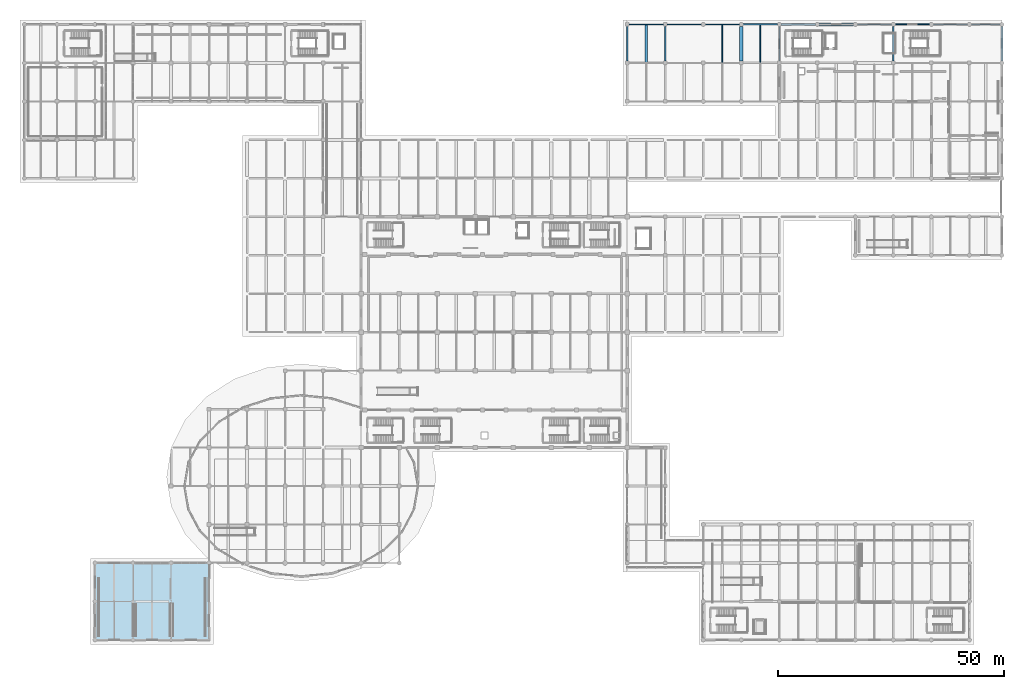
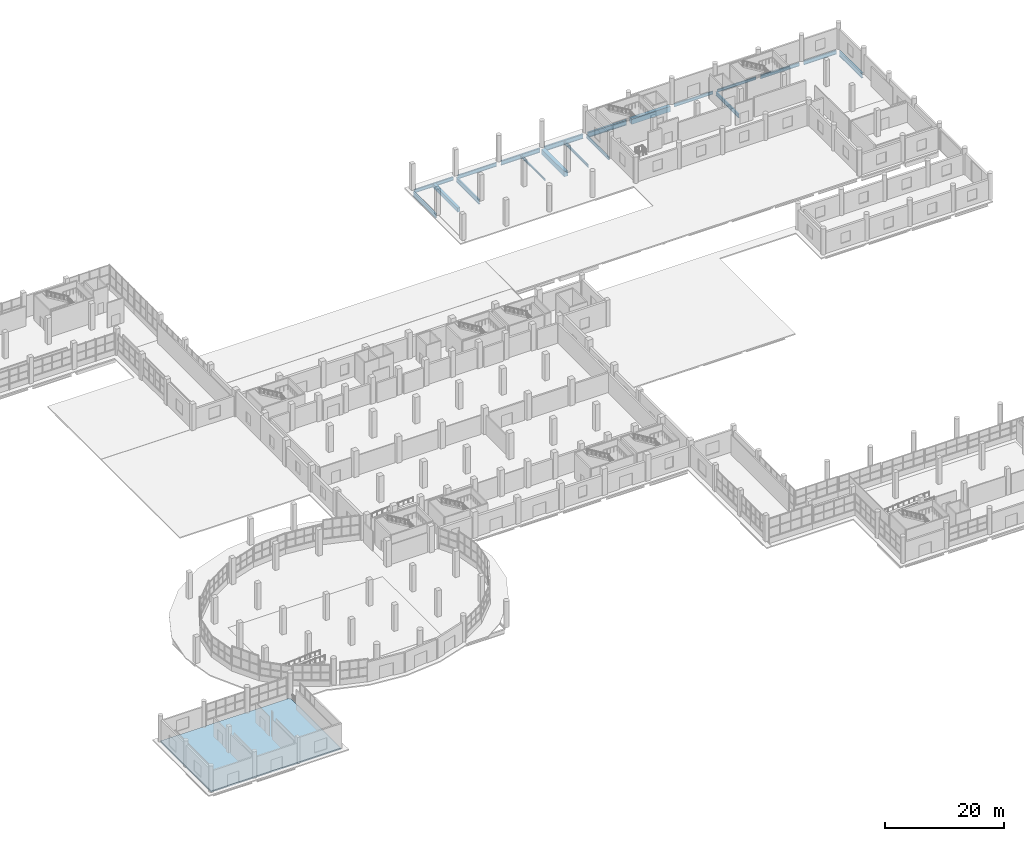
# One storey, part 72 of 107: 19 beams, 1 slab.
"""IFC4 building model written with IfcOpenShell, lengths in metres."""

from ifc_helpers import new_model, si_unit, direction, frame, origin, origin_2d, place, context, subcontext, project, spatial, polyline, rectangle, i_section, outline, extrude, material, layer, layer_set, material_profile, profile_set, type_object, element, save


model = new_model("IFC4")

# Units and contexts
model_context = context("Model", 3, precision=1e-05, world=origin(), true_north=direction((0.0, 1.0)))
body_context = subcontext(model_context, "Body", "Model", "MODEL_VIEW")
ifc_project = project(units=[si_unit("LENGTHUNIT", "METRE"), si_unit("AREAUNIT", "SQUARE_METRE"), si_unit("VOLUMEUNIT", "CUBIC_METRE"), si_unit("PLANEANGLEUNIT", "RADIAN"), si_unit("MASSUNIT", "GRAM", prefix="KILO")], contexts=[model_context])

# Site, building, storey
site_placement = place(None, origin())
site = spatial("IfcSite", under=ifc_project, at=site_placement, CompositionType="ELEMENT")
building_placement = place(site_placement, origin())
building = spatial("IfcBuilding", under=site, at=building_placement, Name="Solvento Point Concert Hall", CompositionType="ELEMENT")
storey_placement = place(building_placement, origin())
storey = spatial("IfcBuildingStorey", under=building, at=storey_placement, Name="L00", CompositionType="ELEMENT", Elevation=0.0)

# Beams
ifc_material_1 = material(Name="Concrete C35/45", Category="concrete")
ifc_material_profile_1 = material_profile(ifc_material_1, rectangle(XDim=0.52001953125, YDim=0.840087890625, at=origin_2d()), Name="RC-BM-520X840")
ifc_profile_set_1 = profile_set([ifc_material_profile_1], Name="Concrete C35/45")
beam_type_1 = type_object("IfcBeamType", Name="Beam_RC_520x840", PredefinedType="BEAM", material=ifc_profile_set_1)
beam_1_placement = place(storey_placement, frame((137.39990234375, 127.592041015625, -0.6640625), z_axis=(0.0, 1.0, 0.0), x_axis=(-1.0, 0.0, 0.0)))
element("IfcBeam", 1, at=beam_1_placement, inside=storey, type_object=beam_type_1, Name="Secondary floor joist B-54 L00", PredefinedType="BEAM", context=body_context, shape_type="SweptSolid", body=[
    extrude(rectangle(XDim=0.52001953125, YDim=0.840087890625, at=origin_2d()), origin(), (0.0, 0.0, 1.0), 8.294921875),
])
ifc_material_2 = material(Name="Structural Steel ASTM A992 Grade 50", Category="steel")
ifc_material_profile_2 = material_profile(ifc_material_2, i_section(OverallWidth=0.20947265625, OverallDepth=0.532958984375, WebThickness=0.01025390625, FlangeThickness=0.015625, at=origin_2d()), Name="W21X62")
ifc_profile_set_2 = profile_set([ifc_material_profile_2], Name="Structural Steel ASTM A992 Grade 50")
beam_type_2 = type_object("IfcBeamType", Name="Beam_W21X62", PredefinedType="BEAM", material=ifc_profile_set_2)
beam_2_placement = place(storey_placement, frame((162.60009765625, 127.631103515625, -0.510498046875), z_axis=(0.0, 1.0, 0.0), x_axis=(-1.0, 0.0, 0.0)))
element("IfcBeam", 2, at=beam_2_placement, inside=storey, type_object=beam_type_2, Name="Secondary floor joist B-25 L00", PredefinedType="BEAM", context=body_context, shape_type="SweptSolid", body=[
    extrude(i_section(OverallWidth=0.20947265625, OverallDepth=0.532958984375, WebThickness=0.01025390625, FlangeThickness=0.015625, at=origin_2d()), origin(), (0.0, 0.0, 1.0), 8.22998046875),
])
ifc_material_3 = material(Name="Structural Steel ASTM A992 Grade 50", Category="steel")
ifc_material_profile_3 = material_profile(ifc_material_3, i_section(OverallWidth=0.214111328125, OverallDepth=0.549072265625, WebThickness=0.0146484375, FlangeThickness=0.023681640625, at=origin_2d()), Name="W21X93")
ifc_profile_set_3 = profile_set([ifc_material_profile_3], Name="Structural Steel ASTM A992 Grade 50")
beam_type_3 = type_object("IfcBeamType", Name="Beam_W21X93", PredefinedType="BEAM", material=ifc_profile_set_3)
beam_3_placement = place(storey_placement, frame((192.424072265625, 136.0, -0.57861328125), z_axis=(1.0, 0.0, 0.0), x_axis=(0.0, 1.0, 0.0)))
element("IfcBeam", 3, at=beam_3_placement, inside=storey, type_object=beam_type_3, Name="Primary girder B-48 L00", PredefinedType="BEAM", context=body_context, shape_type="SweptSolid", body=[
    extrude(i_section(OverallWidth=0.214111328125, OverallDepth=0.549072265625, WebThickness=0.0146484375, FlangeThickness=0.023681640625, at=origin_2d()), origin(), (0.0, 0.0, 1.0), 7.552001953125),
])
ifc_material_4 = material(Name="Structural Steel ASTM A992 Grade 50", Category="steel")
ifc_material_profile_4 = material_profile(ifc_material_4, i_section(OverallWidth=0.228515625, OverallDepth=0.60791015625, WebThickness=0.01123046875, FlangeThickness=0.017333984375, at=origin_2d()), Name="W24X76")
ifc_profile_set_4 = profile_set([ifc_material_profile_4], Name="Structural Steel ASTM A992 Grade 50")
beam_type_4 = type_object("IfcBeamType", Name="Beam_W24X76", PredefinedType="BEAM", material=ifc_profile_set_4)
beam_4_placement = place(storey_placement, frame((184.02392578125, 136.0, -0.60791015625), z_axis=(1.0, 0.0, 0.0), x_axis=(0.0, 1.0, 0.0)))
element("IfcBeam", 4, at=beam_4_placement, inside=storey, type_object=beam_type_4, Name="Primary girder B-42 L00", PredefinedType="BEAM", context=body_context, shape_type="SweptSolid", body=[
    extrude(i_section(OverallWidth=0.228515625, OverallDepth=0.60791015625, WebThickness=0.01123046875, FlangeThickness=0.017333984375, at=origin_2d()), origin(), (0.0, 0.0, 1.0), 7.552001953125),
])
beam_5_placement = place(storey_placement, frame((166.800048828125, 127.924072265625, -0.60791015625), z_axis=(0.0, 1.0, 0.0), x_axis=(-1.0, 0.0, 0.0)))
element("IfcBeam", 5, at=beam_5_placement, inside=storey, type_object=beam_type_4, Name="Primary girder B-42 L00", PredefinedType="BEAM", context=body_context, shape_type="SweptSolid", body=[
    extrude(i_section(OverallWidth=0.228515625, OverallDepth=0.60791015625, WebThickness=0.01123046875, FlangeThickness=0.017333984375, at=origin_2d()), origin(), (0.0, 0.0, 1.0), 7.65185546875),
])
ifc_material_5 = material(Name="Concrete C35/45", Category="concrete")
ifc_material_profile_5 = material_profile(ifc_material_5, rectangle(XDim=0.699951171875, YDim=1.10009765625, at=origin_2d()), Name="RC-BM-700X1100")
ifc_profile_set_5 = profile_set([ifc_material_profile_5], Name="Concrete C35/45")
beam_type_5 = type_object("IfcBeamType", Name="Girder_RC_700x1100", PredefinedType="USERDEFINED", material=ifc_profile_set_5)
beam_6_placement = place(storey_placement, frame((175.6240234375, 136.0, -0.85400390625), z_axis=(1.0, 0.0, 0.0), x_axis=(0.0, 1.0, 0.0)))
element("IfcBeam", 6, at=beam_6_placement, inside=storey, type_object=beam_type_5, Name="Primary girder B-49 L00", ObjectType="GIRDER", PredefinedType="USERDEFINED", context=body_context, shape_type="SweptSolid", body=[
    extrude(rectangle(XDim=0.699951171875, YDim=1.10009765625, at=origin_2d()), origin(), (0.0, 0.0, 1.0), 7.552001953125),
])
beam_7_placement = place(storey_placement, frame((158.39990234375, 127.924072265625, -0.7939453125), z_axis=(0.0, 1.0, 0.0), x_axis=(-1.0, 0.0, 0.0)))
element("IfcBeam", 7, at=beam_7_placement, inside=storey, type_object=beam_type_5, Name="Primary girder B-49 L00", ObjectType="GIRDER", PredefinedType="USERDEFINED", context=body_context, shape_type="SweptSolid", body=[
    extrude(rectangle(XDim=0.699951171875, YDim=1.10009765625, at=origin_2d()), origin(), (0.0, 0.0, 1.0), 7.65185546875),
])
ifc_material_6 = material(Name="Structural Steel ASTM A992 Grade 50", Category="steel")
ifc_material_profile_6 = material_profile(ifc_material_6, i_section(OverallWidth=0.256103515625, OverallDepth=0.693115234375, WebThickness=0.014404296875, FlangeThickness=0.023681640625, at=origin_2d()), Name="W27X114")
ifc_profile_set_6 = profile_set([ifc_material_profile_6], Name="Structural Steel ASTM A992 Grade 50")
beam_type_6 = type_object("IfcBeamType", Name="Girder_W27X114", PredefinedType="USERDEFINED", material=ifc_profile_set_6)
for number, where, z_axis, x_axis, name in (
    (8, (133.6240234375, 136.0, -0.590576171875), (1.0, 0.0, 0.0), (0.0, 1.0, 0.0), "Primary girder B-23 L00"),
    (9, (200.823974609375, 136.0, -0.650390625), (1.0, 0.0, 0.0), (0.0, 1.0, 0.0), "Primary girder B-23 L00"),
):
    element("IfcBeam", number, at=place(storey_placement, frame(where, z_axis=z_axis, x_axis=x_axis)), inside=storey, type_object=beam_type_6, Name=name, ObjectType="GIRDER", PredefinedType="USERDEFINED", context=body_context, shape_type="SweptSolid", body=[
        extrude(i_section(OverallWidth=0.256103515625, OverallDepth=0.693115234375, WebThickness=0.014404296875, FlangeThickness=0.023681640625, at=origin_2d()), origin(), (0.0, 0.0, 1.0), 7.552001953125),
    ])
ifc_material_7 = material(Name="Structural Steel ASTM A992 Grade 50", Category="steel")
ifc_material_profile_7 = material_profile(ifc_material_7, i_section(OverallWidth=0.26806640625, OverallDepth=0.77001953125, WebThickness=0.015625, FlangeThickness=0.025390625, at=origin_2d()), Name="W30X132")
ifc_profile_set_7 = profile_set([ifc_material_profile_7], Name="Structural Steel ASTM A992 Grade 50")
beam_type_7 = type_object("IfcBeamType", Name="Girder_W30X132", PredefinedType="USERDEFINED", material=ifc_profile_set_7)
beam_8_placement = place(storey_placement, frame((142.02392578125, 136.0, -0.62890625), z_axis=(1.0, 0.0, 0.0), x_axis=(0.0, 1.0, 0.0)))
element("IfcBeam", 10, at=beam_8_placement, inside=storey, type_object=beam_type_7, Name="Primary girder B-68 L00", ObjectType="GIRDER", PredefinedType="USERDEFINED", context=body_context, shape_type="SweptSolid", body=[
    extrude(i_section(OverallWidth=0.26806640625, OverallDepth=0.77001953125, WebThickness=0.015625, FlangeThickness=0.025390625, at=origin_2d()), origin(), (0.0, 0.0, 1.0), 7.552001953125),
])
beam_9_placement = place(storey_placement, frame((209.22412109375, 136.0, -0.68896484375), z_axis=(1.0, 0.0, 0.0), x_axis=(0.0, 1.0, 0.0)))
element("IfcBeam", 11, at=beam_9_placement, inside=storey, type_object=beam_type_7, Name="Primary girder B-68 L00", ObjectType="GIRDER", PredefinedType="USERDEFINED", context=body_context, shape_type="SweptSolid", body=[
    extrude(i_section(OverallWidth=0.26806640625, OverallDepth=0.77001953125, WebThickness=0.015625, FlangeThickness=0.025390625, at=origin_2d()), origin(), (0.0, 0.0, 1.0), 6.351806640625),
])
beam_10_placement = place(storey_placement, frame((192.0, 127.924072265625, -0.68896484375), z_axis=(0.0, 1.0, 0.0), x_axis=(-1.0, 0.0, 0.0)))
element("IfcBeam", 12, at=beam_10_placement, inside=storey, type_object=beam_type_7, Name="Primary girder B-68 L00", ObjectType="GIRDER", PredefinedType="USERDEFINED", context=body_context, shape_type="SweptSolid", body=[
    extrude(i_section(OverallWidth=0.26806640625, OverallDepth=0.77001953125, WebThickness=0.015625, FlangeThickness=0.025390625, at=origin_2d()), origin(), (0.0, 0.0, 1.0), 7.65185546875),
])
ifc_material_8 = material(Name="Structural Steel ASTM A992 Grade 50", Category="steel")
ifc_material_profile_8 = material_profile(ifc_material_8, i_section(OverallWidth=0.2919921875, OverallDepth=0.85888671875, WebThickness=0.01708984375, FlangeThickness=0.031005859375, at=origin_2d()), Name="W33X169")
ifc_profile_set_8 = profile_set([ifc_material_profile_8], Name="Structural Steel ASTM A992 Grade 50")
beam_type_8 = type_object("IfcBeamType", Name="Girder_W33X169", PredefinedType="USERDEFINED", material=ifc_profile_set_8)
beam_11_placement = place(storey_placement, frame((150.424072265625, 136.0, -0.673583984375), z_axis=(1.0, 0.0, 0.0), x_axis=(0.0, 1.0, 0.0)))
element("IfcBeam", 13, at=beam_11_placement, inside=storey, type_object=beam_type_8, Name="Primary girder B-33 L00", ObjectType="GIRDER", PredefinedType="USERDEFINED", context=body_context, shape_type="SweptSolid", body=[
    extrude(i_section(OverallWidth=0.2919921875, OverallDepth=0.85888671875, WebThickness=0.01708984375, FlangeThickness=0.031005859375, at=origin_2d()), origin(), (0.0, 0.0, 1.0), 7.552001953125),
])
beam_12_placement = place(storey_placement, frame((133.199951171875, 127.924072265625, -0.673583984375), z_axis=(0.0, 1.0, 0.0), x_axis=(-1.0, 0.0, 0.0)))
element("IfcBeam", 14, at=beam_12_placement, inside=storey, type_object=beam_type_8, Name="Primary girder B-33 L00", ObjectType="GIRDER", PredefinedType="USERDEFINED", context=body_context, shape_type="SweptSolid", body=[
    extrude(i_section(OverallWidth=0.2919921875, OverallDepth=0.85888671875, WebThickness=0.01708984375, FlangeThickness=0.031005859375, at=origin_2d()), origin(), (0.0, 0.0, 1.0), 7.65185546875),
])
ifc_material_9 = material(Name="Structural Steel ASTM A992 Grade 50", Category="steel")
ifc_material_profile_9 = material_profile(ifc_material_9, i_section(OverallWidth=0.3076171875, OverallDepth=0.927001953125, WebThickness=0.019287109375, FlangeThickness=0.031982421875, at=origin_2d()), Name="W36X194")
ifc_profile_set_9 = profile_set([ifc_material_profile_9], Name="Structural Steel ASTM A992 Grade 50")
beam_type_9 = type_object("IfcBeamType", Name="Girder_W36X194", PredefinedType="USERDEFINED", material=ifc_profile_set_9)
beam_13_placement = place(storey_placement, frame((158.823974609375, 136.0, -0.70751953125), z_axis=(1.0, 0.0, 0.0), x_axis=(0.0, 1.0, 0.0)))
element("IfcBeam", 15, at=beam_13_placement, inside=storey, type_object=beam_type_9, Name="Primary girder B-61 L00", ObjectType="GIRDER", PredefinedType="USERDEFINED", context=body_context, shape_type="SweptSolid", body=[
    extrude(i_section(OverallWidth=0.3076171875, OverallDepth=0.927001953125, WebThickness=0.019287109375, FlangeThickness=0.031982421875, at=origin_2d()), origin(), (0.0, 0.0, 1.0), 7.552001953125),
])
beam_14_placement = place(storey_placement, frame((141.60009765625, 127.924072265625, -0.70751953125), z_axis=(0.0, 1.0, 0.0), x_axis=(-1.0, 0.0, 0.0)))
element("IfcBeam", 16, at=beam_14_placement, inside=storey, type_object=beam_type_9, Name="Primary girder B-61 L00", ObjectType="GIRDER", PredefinedType="USERDEFINED", context=body_context, shape_type="SweptSolid", body=[
    extrude(i_section(OverallWidth=0.3076171875, OverallDepth=0.927001953125, WebThickness=0.019287109375, FlangeThickness=0.031982421875, at=origin_2d()), origin(), (0.0, 0.0, 1.0), 7.65185546875),
])
ifc_material_10 = material(Name="Structural Steel ASTM A992 Grade 50", Category="steel")
ifc_material_profile_10 = material_profile(ifc_material_10, i_section(OverallWidth=0.361083984375, OverallDepth=1.02587890625, WebThickness=0.01904296875, FlangeThickness=0.0361328125, at=origin_2d()), Name="W40X249")
ifc_profile_set_10 = profile_set([ifc_material_profile_10], Name="Structural Steel ASTM A992 Grade 50")
beam_type_10 = type_object("IfcBeamType", Name="Girder_W40X249", PredefinedType="USERDEFINED", material=ifc_profile_set_10)
beam_15_placement = place(storey_placement, frame((167.22412109375, 136.0, -0.81689453125), z_axis=(1.0, 0.0, 0.0), x_axis=(0.0, 1.0, 0.0)))
element("IfcBeam", 17, at=beam_15_placement, inside=storey, type_object=beam_type_10, Name="Primary girder B-29 L00", ObjectType="GIRDER", PredefinedType="USERDEFINED", context=body_context, shape_type="SweptSolid", body=[
    extrude(i_section(OverallWidth=0.361083984375, OverallDepth=1.02587890625, WebThickness=0.01904296875, FlangeThickness=0.0361328125, at=origin_2d()), origin(), (0.0, 0.0, 1.0), 7.5517578125),
])
beam_16_placement = place(storey_placement, frame((216.0, 127.924072265625, -0.81689453125), z_axis=(0.0, 1.0, 0.0), x_axis=(-1.0, 0.0, 0.0)))
element("IfcBeam", 18, at=beam_16_placement, inside=storey, type_object=beam_type_10, Name="Primary girder B-29 L00", ObjectType="GIRDER", PredefinedType="USERDEFINED", context=body_context, shape_type="SweptSolid", body=[
    extrude(i_section(OverallWidth=0.361083984375, OverallDepth=1.02587890625, WebThickness=0.01904296875, FlangeThickness=0.0361328125, at=origin_2d()), origin(), (0.0, 0.0, 1.0), 7.65185546875),
])
ifc_material_11 = material(Name="Structural Steel ASTM A992 Grade 50", Category="steel")
ifc_material_profile_11 = material_profile(ifc_material_11, i_section(OverallWidth=0.177490234375, OverallDepth=0.403076171875, WebThickness=0.007568359375, FlangeThickness=0.010986328125, at=origin_2d()), Name="W16X36")
ifc_profile_set_11 = profile_set([ifc_material_profile_11], Name="Structural Steel ASTM A992 Grade 50")
beam_type_11 = type_object("IfcBeamType", Name="Joist_W16X36", PredefinedType="JOIST", material=ifc_profile_set_11)
beam_17_placement = place(storey_placement, frame((154.199951171875, 127.618896484375, -0.445556640625), z_axis=(0.0, 1.0, 0.0), x_axis=(-1.0, 0.0, 0.0)))
element("IfcBeam", 19, at=beam_17_placement, inside=storey, type_object=beam_type_11, Name="Secondary floor joist B-30 L00", PredefinedType="JOIST", context=body_context, shape_type="SweptSolid", body=[
    extrude(i_section(OverallWidth=0.177490234375, OverallDepth=0.403076171875, WebThickness=0.007568359375, FlangeThickness=0.010986328125, at=origin_2d()), origin(), (0.0, 0.0, 1.0), 8.25),
])

# Slab
ifc_material_12 = material(Name="Concrete C35/45", Category="concrete")
ifc_layer = layer(ifc_material_12, 0.300048828125)
ifc_layer_set = layer_set([ifc_layer], Name="Concrete C35/45")
slab_type = type_object("IfcSlabType", Name="FloorSlab_300", PredefinedType="FLOOR", material=ifc_layer_set)
slab_placement = place(storey_placement, frame((0.0, 0.0, -0.300048828125)))
element("IfcSlab", 20, at=slab_placement, inside=storey, type_object=slab_type, Name="Structural slab SL-L00 SLAB-L00-V2C", PredefinedType="FLOOR", context=body_context, shape_type="SweptSolid", body=[
    extrude(outline(polyline([(15.60009765625, 17.0), (40.800048828125, 17.0), (40.800048828125, 0.0), (15.60009765625, 0.0), (15.60009765625, 17.0)])), origin(), (0.0, 0.0, 1.0), 0.300048828125),
])

save(model, "model.ifc")
